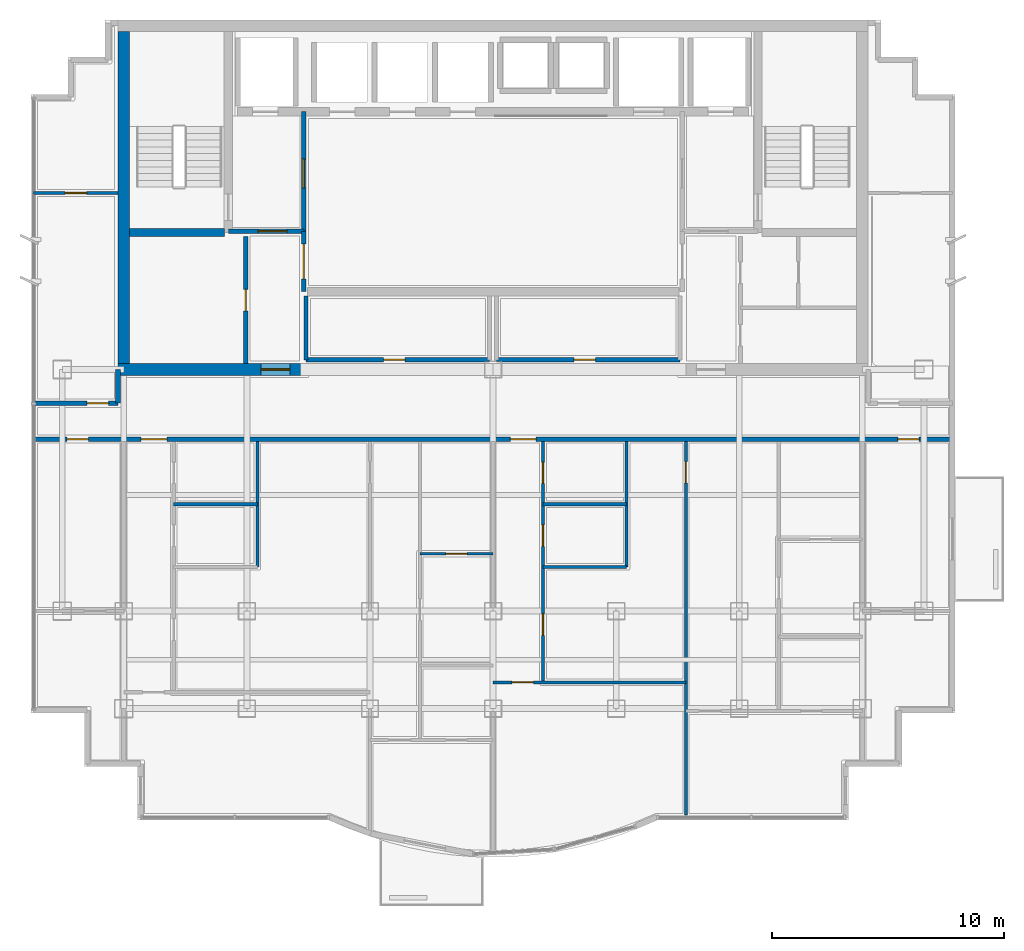
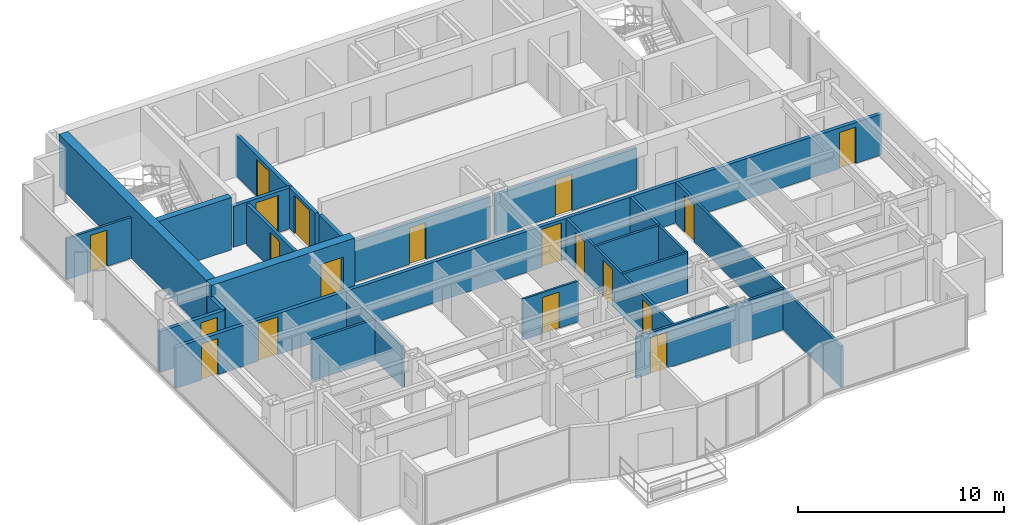
# One storey, part 7 of 11: 23 walls, 19 doors, 19 openings.
"""IFC4 building model written with IfcOpenShell, lengths in metres."""

from ifc_helpers import new_model, si_unit, direction, frame, frame_2d, origin, place, context, subcontext, project, spatial, rectangle, extrude, material, layer, layer_set, type_object, element, fill, save


model = new_model("IFC4")

# Units and contexts
model_context = context("Model", 3, precision=1e-05, world=origin(), true_north=direction((0.0, 1.0)))
body_context = subcontext(model_context, "Body", "Model", "MODEL_VIEW")
ifc_project = project(units=[si_unit("LENGTHUNIT", "METRE"), si_unit("AREAUNIT", "SQUARE_METRE"), si_unit("VOLUMEUNIT", "CUBIC_METRE"), si_unit("PLANEANGLEUNIT", "RADIAN"), si_unit("MASSUNIT", "GRAM", prefix="KILO")], contexts=[model_context])

# Site, building, storey
site_placement = place(None, origin())
site = spatial("IfcSite", under=ifc_project, at=site_placement, CompositionType="ELEMENT")
building_placement = place(site_placement, origin())
building = spatial("IfcBuilding", under=site, at=building_placement, Name="Qianlan Lanfeng Residences", CompositionType="ELEMENT")
storey_placement = place(building_placement, frame((0.0, 0.0, 223.10009765625)))
storey = spatial("IfcBuildingStorey", under=building, at=storey_placement, Name="L61", CompositionType="ELEMENT", Elevation=223.10009765625)

# Walls
ifc_material_1 = material(Name="Concrete C49", Category="concrete")
ifc_layer_1 = layer(ifc_material_1, 0.35009765625)
ifc_layer_set_1 = layer_set([ifc_layer_1], Name="Concrete C49")
wall_type_1 = type_object("IfcWallType", Name="CW-RC-350", PredefinedType="SHEAR", material=ifc_layer_set_1)
wall_1_placement = place(storey_placement, frame((10.85009765625, 31.10009765625, 0.0), z_axis=(0.0, 0.0, 1.0), x_axis=(1.0, 0.0, 0.0)))
element("IfcWall", 1, at=wall_1_placement, inside=storey, type_object=wall_type_1, Name="L61 Core Shear Wall ST1S", PredefinedType="SHEAR", context=body_context, shape_type="SweptSolid", body=[
    extrude(rectangle(XDim=4.074951171875, YDim=0.35009765625, at=frame_2d((2.03759765625, 0.0))), origin(), (0.0, 0.0, 1.0), 3.10986328125),
])
ifc_material_2 = material(Name="Concrete C70", Category="concrete")
ifc_layer_2 = layer(ifc_material_2, 0.5)
ifc_layer_set_2 = layer_set([ifc_layer_2], Name="Concrete C70")
wall_type_2 = type_object("IfcWallType", Name="CW-RC-500", PredefinedType="SHEAR", material=ifc_layer_set_2)
wall_2_placement = place(storey_placement, frame((10.60009765625, 25.449951171875, 0.0), z_axis=(0.0, 0.0, 1.0), x_axis=(0.0, 1.0, 0.0)))
element("IfcWall", 2, at=wall_2_placement, inside=storey, type_object=wall_type_2, Name="L61 Core Shear Wall W", PredefinedType="SHEAR", context=body_context, shape_type="SweptSolid", body=[
    extrude(rectangle(XDim=14.300048828125, YDim=0.5, at=frame_2d((7.14990234375, 0.0))), origin(), (0.0, 0.0, 1.0), 3.10986328125),
])

# Wall, opening, door
wall_3_placement = place(storey_placement, frame((10.35009765625, 25.199951171875, 0.0), z_axis=(0.0, 0.0, 1.0), x_axis=(1.0, 0.0, 0.0)))
wall_3 = element("IfcWall", 3, at=wall_3_placement, inside=storey, type_object=wall_type_2, Name="L61 Core Shear Wall SW", PredefinedType="SHEAR", context=body_context, shape_type="SweptSolid", body=[
    extrude(rectangle(XDim=8.0498046875, YDim=0.5, at=frame_2d((4.02490234375, 0.0))), origin(), (0.0, 0.0, 1.0), 3.10986328125),
])
opening_1_placement = place(wall_3_placement, frame((6.14990234375, 0.0, 0.0)))
opening_1 = element("IfcOpeningElement", 4, at=opening_1_placement, cuts=wall_3, Name="Opening L61-D01", PredefinedType="OPENING", context=body_context, shape_type="SweptSolid", body=[
    extrude(rectangle(XDim=1.25, YDim=2.199951171875, at=frame_2d((0.625, 1.10009765625))), frame((0.0, 0.260009765625, 0.0), z_axis=(0.0, -1.0, 0.0), x_axis=(1.0, 0.0, 0.0)), (0.0, 0.0, 1.0), 0.52001953125),
])
ifc_material_3 = material(Name="Painted Galvanised Steel Fire Door", Category="steel")
door_type_1 = type_object("IfcDoorType", Name="DT-FFL", OperationType="NOTDEFINED", PredefinedType="DOOR", material=ifc_material_3)
door_1_placement = place(opening_1_placement, origin())
door_1 = element("IfcDoor", 5, at=door_1_placement, inside=storey, type_object=door_type_1, Name="L61 West Core Lobby Smoke Door L61-D01 (DT-FFL)", OperationType="SINGLE_SWING_RIGHT", OverallHeight=2.199951171875, OverallWidth=1.25, PredefinedType="DOOR", context=body_context, shape_type="SweptSolid", body=[
    extrude(rectangle(XDim=1.25, YDim=2.199951171875, at=frame_2d((0.625, 1.10009765625))), frame((0.0, 0.02490234375, 0.0), z_axis=(0.0, -1.0, 0.0), x_axis=(1.0, 0.0, 0.0)), (0.0, 0.0, 1.0), 0.050048828125),
])
fill(opening_1, door_1)

ifc_material_4 = material(Name="Demountable Acoustic Framing Partition 110 mm")
ifc_layer_3 = layer(ifc_material_4, 0.110107421875)
ifc_layer_set_3 = layer_set([ifc_layer_3], Name="Demountable Acoustic Framing Partition 110 mm")
wall_type_3 = type_object("IfcWallType", Name="PW-110", PredefinedType="MOVABLE", material=ifc_layer_set_3)
wall_4_placement = place(storey_placement, frame((23.35009765625, 17.27392578125, 0.0), z_axis=(0.0, 0.0, 1.0), x_axis=(1.0, 0.0, 0.0)))
wall_4 = element("IfcWall", 6, at=wall_4_placement, inside=storey, type_object=wall_type_3, Name="L61 U01 Wardrobe Split", PredefinedType="MOVABLE", context=body_context, shape_type="SweptSolid", body=[
    extrude(rectangle(XDim=3.14990234375, YDim=0.110107421875, at=frame_2d((1.574951171875, 0.0))), origin(), (0.0, 0.0, 1.0), 2.429931640625),
])
opening_2_placement = place(wall_4_placement, frame((1.114990234375, 0.0, 0.0)))
opening_2 = element("IfcOpeningElement", 7, at=opening_2_placement, cuts=wall_4, Name="Opening L61-D26", PredefinedType="OPENING", context=body_context, shape_type="SweptSolid", body=[
    extrude(rectangle(XDim=0.919921875, YDim=2.14990234375, at=frame_2d((0.4599609375, 1.074951171875))), frame((0.0, 0.06494140625, 0.0), z_axis=(0.0, -1.0, 0.0), x_axis=(1.0, 0.0, 0.0)), (0.0, 0.0, 1.0), 0.130126953125),
])
ifc_material_5 = material(Name="Glazed Timber Kitchen/Study Door", Category="wood")
door_type_2 = type_object("IfcDoorType", Name="DT-INT", OperationType="NOTDEFINED", PredefinedType="DOOR", material=ifc_material_5)
door_2_placement = place(opening_2_placement, origin())
door_2 = element("IfcDoor", 8, at=door_2_placement, inside=storey, type_object=door_type_2, Name="L61 U01 Dressing Inner Door L61-D26 (DT-INT)", OperationType="SINGLE_SWING_LEFT", OverallHeight=2.14990234375, OverallWidth=0.919921875, PredefinedType="DOOR", context=body_context, shape_type="SweptSolid", body=[
    extrude(rectangle(XDim=0.919921875, YDim=2.14990234375, at=frame_2d((0.4599609375, 1.074951171875))), frame((0.0, 0.02490234375, 0.0), z_axis=(0.0, -1.0, 0.0), x_axis=(1.0, 0.0, 0.0)), (0.0, 0.0, 1.0), 0.050048828125),
])
fill(opening_2, door_2)

# Walls
ifc_material_6 = material(Name="Moisture-Resistant Gypsum Partition 135 mm")
ifc_layer_4 = layer(ifc_material_6, 0.135009765625)
ifc_layer_set_4 = layer_set([ifc_layer_4], Name="Moisture-Resistant Gypsum Partition 135 mm")
wall_type_4 = type_object("IfcWallType", Name="PW-135", PredefinedType="PARTITIONING", material=ifc_layer_set_4)
wall_5_placement = place(storey_placement, frame((16.35009765625, 16.699951171875, 0.0), z_axis=(0.0, 0.0, 1.0), x_axis=(0.0, 1.0, 0.0)))
element("IfcWall", 9, at=wall_5_placement, inside=storey, type_object=wall_type_4, Name="L61 U01 Dining East Wall", PredefinedType="PARTITIONING", context=body_context, shape_type="SweptSolid", body=[
    extrude(rectangle(XDim=5.400146484375, YDim=0.135009765625, at=frame_2d((2.7001953125, 0.0))), origin(), (0.0, 0.0, 1.0), 2.429931640625),
])
wall_6_placement = place(storey_placement, frame((12.75, 19.39990234375, 0.0), z_axis=(0.0, 0.0, 1.0), x_axis=(1.0, 0.0, 0.0)))
element("IfcWall", 10, at=wall_6_placement, inside=storey, type_object=wall_type_4, Name="L61 U01 Bathroom South Wall", PredefinedType="PARTITIONING", context=body_context, shape_type="SweptSolid", body=[
    extrude(rectangle(XDim=3.60009765625, YDim=0.135009765625, at=frame_2d((1.800048828125, 0.0))), origin(), (0.0, 0.0, 1.0), 2.429931640625),
])

# Wall, opening, door
wall_7_placement = place(storey_placement, frame((34.800048828125, 6.02001953125, 0.0), z_axis=(0.0, 0.0, 1.0), x_axis=(0.0, 1.0, 0.0)))
wall_7 = element("IfcWall", 11, at=wall_7_placement, inside=storey, type_object=wall_type_4, Name="L61 U02 Bay Spine Wall 1", PredefinedType="PARTITIONING", context=body_context, shape_type="SweptSolid", body=[
    extrude(rectangle(XDim=16.080078125, YDim=0.135009765625, at=frame_2d((8.0400390625, 0.0))), origin(), (0.0, 0.0, 1.0), 2.429931640625),
])
opening_3_placement = place(wall_7_placement, frame((14.294921875, 0.0, 0.0)))
opening_3 = element("IfcOpeningElement", 12, at=opening_3_placement, cuts=wall_7, Name="Opening L61-D28", PredefinedType="OPENING", context=body_context, shape_type="SweptSolid", body=[
    extrude(rectangle(XDim=0.919921875, YDim=2.14990234375, at=frame_2d((0.4599609375, 1.074951171875))), frame((0.0, 0.07763671875, 0.0), z_axis=(0.0, -1.0, 0.0), x_axis=(1.0, 0.0, 0.0)), (0.0, 0.0, 1.0), 0.155029296875),
])
door_3_placement = place(opening_3_placement, origin())
door_3 = element("IfcDoor", 13, at=door_3_placement, inside=storey, type_object=door_type_2, Name="L61 U02 Internal Hall Door L61-D28 (DT-INT)", OperationType="SINGLE_SWING_LEFT", OverallHeight=2.14990234375, OverallWidth=0.919921875, PredefinedType="DOOR", context=body_context, shape_type="SweptSolid", body=[
    extrude(rectangle(XDim=0.919921875, YDim=2.14990234375, at=frame_2d((0.4599609375, 1.074951171875))), frame((0.0, 0.02490234375, 0.0), z_axis=(0.0, -1.0, 0.0), x_axis=(1.0, 0.0, 0.0)), (0.0, 0.0, 1.0), 0.050048828125),
])
fill(opening_3, door_3)

wall_8_placement = place(storey_placement, frame((26.5, 11.72900390625, 0.0), z_axis=(0.0, 0.0, 1.0), x_axis=(1.0, 0.0, 0.0)))
wall_8 = element("IfcWall", 14, at=wall_8_placement, inside=storey, type_object=wall_type_4, Name="L61 U02 Living Divider", PredefinedType="PARTITIONING", context=body_context, shape_type="SweptSolid", body=[
    extrude(rectangle(XDim=8.300048828125, YDim=0.135009765625, at=frame_2d((4.14990234375, 0.0))), origin(), (0.0, 0.0, 1.0), 2.429931640625),
])
opening_4_placement = place(wall_8_placement, frame((0.81494140625, 0.0, 0.0)))
opening_4 = element("IfcOpeningElement", 15, at=opening_4_placement, cuts=wall_8, Name="Opening L61-D29", PredefinedType="OPENING", context=body_context, shape_type="SweptSolid", body=[
    extrude(rectangle(XDim=0.919921875, YDim=2.14990234375, at=frame_2d((0.4599609375, 1.074951171875))), frame((0.0, 0.07763671875, 0.0), z_axis=(0.0, -1.0, 0.0), x_axis=(1.0, 0.0, 0.0)), (0.0, 0.0, 1.0), 0.155029296875),
])
door_4_placement = place(opening_4_placement, origin())
door_4 = element("IfcDoor", 16, at=door_4_placement, inside=storey, type_object=door_type_2, Name="L61 U02 Living Passage Door L61-D29 (DT-INT)", OperationType="SINGLE_SWING_LEFT", OverallHeight=2.14990234375, OverallWidth=0.919921875, PredefinedType="DOOR", context=body_context, shape_type="SweptSolid", body=[
    extrude(rectangle(XDim=0.919921875, YDim=2.14990234375, at=frame_2d((0.4599609375, 1.074951171875))), frame((0.0, 0.02490234375, 0.0), z_axis=(0.0, -1.0, 0.0), x_axis=(1.0, 0.0, 0.0)), (0.0, 0.0, 1.0), 0.050048828125),
])
fill(opening_4, door_4)

# Wall, openings, doors
wall_9_placement = place(storey_placement, frame((28.64990234375, 11.72900390625, 0.0), z_axis=(0.0, 0.0, 1.0), x_axis=(0.0, 1.0, 0.0)))
wall_9 = element("IfcWall", 17, at=wall_9_placement, inside=storey, type_object=wall_type_4, Name="L61 U02 Entry Hall Spine", PredefinedType="PARTITIONING", context=body_context, shape_type="SweptSolid", body=[
    extrude(rectangle(XDim=10.37109375, YDim=0.135009765625, at=frame_2d((5.185546875, 0.0))), origin(), (0.0, 0.0, 1.0), 2.429931640625),
])
opening_5_placement = place(wall_9_placement, frame((2.02587890625, 0.0, 0.0)))
opening_5 = element("IfcOpeningElement", 18, at=opening_5_placement, cuts=wall_9, Name="Opening L61-D30", PredefinedType="OPENING", context=body_context, shape_type="SweptSolid", body=[
    extrude(rectangle(XDim=0.919921875, YDim=2.14990234375, at=frame_2d((0.4599609375, 1.074951171875))), frame((0.0, 0.07763671875, 0.0), z_axis=(0.0, -1.0, 0.0), x_axis=(1.0, 0.0, 0.0)), (0.0, 0.0, 1.0), 0.155029296875),
])
opening_6_placement = place(wall_9_placement, frame((5.861083984375, 0.0, 0.0)))
opening_6 = element("IfcOpeningElement", 19, at=opening_6_placement, cuts=wall_9, Name="Opening L61-D31", PredefinedType="OPENING", context=body_context, shape_type="SweptSolid", body=[
    extrude(rectangle(XDim=0.919921875, YDim=2.14990234375, at=frame_2d((0.4599609375, 1.074951171875))), frame((0.0, 0.07763671875, 0.0), z_axis=(0.0, -1.0, 0.0), x_axis=(1.0, 0.0, 0.0)), (0.0, 0.0, 1.0), 0.155029296875),
])
opening_7_placement = place(wall_9_placement, frame((8.571044921875, 0.0, 0.0)))
opening_7 = element("IfcOpeningElement", 20, at=opening_7_placement, cuts=wall_9, Name="Opening L61-D32", PredefinedType="OPENING", context=body_context, shape_type="SweptSolid", body=[
    extrude(rectangle(XDim=0.89990234375, YDim=2.14990234375, at=frame_2d((0.449951171875, 1.074951171875))), frame((0.0, 0.07763671875, 0.0), z_axis=(0.0, -1.0, 0.0), x_axis=(1.0, 0.0, 0.0)), (0.0, 0.0, 1.0), 0.155029296875),
])
door_5_placement = place(opening_5_placement, origin())
door_5 = element("IfcDoor", 21, at=door_5_placement, inside=storey, type_object=door_type_2, Name="L61 U02 Study Door L61-D30 (DT-INT)", OperationType="SINGLE_SWING_LEFT", OverallHeight=2.14990234375, OverallWidth=0.919921875, PredefinedType="DOOR", context=body_context, shape_type="SweptSolid", body=[
    extrude(rectangle(XDim=0.919921875, YDim=2.14990234375, at=frame_2d((0.4599609375, 1.074951171875))), frame((0.0, 0.02490234375, 0.0), z_axis=(0.0, -1.0, 0.0), x_axis=(1.0, 0.0, 0.0)), (0.0, 0.0, 1.0), 0.050048828125),
])
fill(opening_5, door_5)
door_6_placement = place(opening_6_placement, origin())
door_6 = element("IfcDoor", 22, at=door_6_placement, inside=storey, type_object=door_type_2, Name="L61 U02 Kitchen Door L61-D31 (DT-INT)", OperationType="SINGLE_SWING_RIGHT", OverallHeight=2.14990234375, OverallWidth=0.919921875, PredefinedType="DOOR", context=body_context, shape_type="SweptSolid", body=[
    extrude(rectangle(XDim=0.919921875, YDim=2.14990234375, at=frame_2d((0.4599609375, 1.074951171875))), frame((0.0, 0.02490234375, 0.0), z_axis=(0.0, -1.0, 0.0), x_axis=(1.0, 0.0, 0.0)), (0.0, 0.0, 1.0), 0.050048828125),
])
fill(opening_6, door_6)
ifc_material_7 = material(Name="Moisture-Resistant Timber Leaf", Category="wood")
door_type_3 = type_object("IfcDoorType", Name="DT-WC", OperationType="NOTDEFINED", PredefinedType="DOOR", material=ifc_material_7)
door_7_placement = place(opening_7_placement, origin())
door_7 = element("IfcDoor", 23, at=door_7_placement, inside=storey, type_object=door_type_3, Name="L61 U02 Bathroom Door L61-D32 (DT-WC)", OperationType="SINGLE_SWING_LEFT", OverallHeight=2.14990234375, OverallWidth=0.89990234375, PredefinedType="DOOR", context=body_context, shape_type="SweptSolid", body=[
    extrude(rectangle(XDim=0.89990234375, YDim=2.14990234375, at=frame_2d((0.449951171875, 1.074951171875))), frame((0.0, 0.02490234375, 0.0), z_axis=(0.0, -1.0, 0.0), x_axis=(1.0, 0.0, 0.0)), (0.0, 0.0, 1.0), 0.050048828125),
])
fill(opening_7, door_7)

# Walls
wall_10_placement = place(storey_placement, frame((28.64990234375, 16.699951171875, 0.0), z_axis=(0.0, 0.0, 1.0), x_axis=(1.0, 0.0, 0.0)))
element("IfcWall", 24, at=wall_10_placement, inside=storey, type_object=wall_type_4, Name="L61 U02 Kitchen South Wall", PredefinedType="PARTITIONING", context=body_context, shape_type="SweptSolid", body=[
    extrude(rectangle(XDim=3.60009765625, YDim=0.135009765625, at=frame_2d((1.800048828125, 0.0))), origin(), (0.0, 0.0, 1.0), 2.429931640625),
])
wall_11_placement = place(storey_placement, frame((32.25, 16.699951171875, 0.0), z_axis=(0.0, 0.0, 1.0), x_axis=(0.0, 1.0, 0.0)))
element("IfcWall", 25, at=wall_11_placement, inside=storey, type_object=wall_type_4, Name="L61 U02 Dining East Wall", PredefinedType="PARTITIONING", context=body_context, shape_type="SweptSolid", body=[
    extrude(rectangle(XDim=5.400146484375, YDim=0.135009765625, at=frame_2d((2.7001953125, 0.0))), origin(), (0.0, 0.0, 1.0), 2.429931640625),
])
wall_12_placement = place(storey_placement, frame((28.64990234375, 19.39990234375, 0.0), z_axis=(0.0, 0.0, 1.0), x_axis=(1.0, 0.0, 0.0)))
element("IfcWall", 26, at=wall_12_placement, inside=storey, type_object=wall_type_4, Name="L61 U02 Bathroom South Wall", PredefinedType="PARTITIONING", context=body_context, shape_type="SweptSolid", body=[
    extrude(rectangle(XDim=3.60009765625, YDim=0.135009765625, at=frame_2d((1.800048828125, 0.0))), origin(), (0.0, 0.0, 1.0), 2.429931640625),
])

# Wall, opening, door
wall_13_placement = place(storey_placement, frame((6.719970703125, 32.800048828125, 0.0), z_axis=(0.0, 0.0, 1.0), x_axis=(1.0, 0.0, 0.0)))
wall_13 = element("IfcWall", 27, at=wall_13_placement, inside=storey, type_object=wall_type_4, Name="L61 WW North Wing Wall", PredefinedType="PARTITIONING", context=body_context, shape_type="SweptSolid", body=[
    extrude(rectangle(XDim=3.630126953125, YDim=0.135009765625, at=frame_2d((1.81494140625, 0.0))), origin(), (0.0, 0.0, 1.0), 2.429931640625),
])
opening_8_placement = place(wall_13_placement, frame((1.35498046875, 0.0, 0.0)))
opening_8 = element("IfcOpeningElement", 28, at=opening_8_placement, cuts=wall_13, Name="Opening L61-D41", PredefinedType="OPENING", context=body_context, shape_type="SweptSolid", body=[
    extrude(rectangle(XDim=0.919921875, YDim=2.14990234375, at=frame_2d((0.4599609375, 1.074951171875))), frame((0.0, 0.07763671875, 0.0), z_axis=(0.0, -1.0, 0.0), x_axis=(1.0, 0.0, 0.0)), (0.0, 0.0, 1.0), 0.155029296875),
])
door_8_placement = place(opening_8_placement, origin())
door_8 = element("IfcDoor", 29, at=door_8_placement, inside=storey, type_object=door_type_2, Name="L61 WW Inner Salon Door L61-D41 (DT-INT)", OperationType="SINGLE_SWING_RIGHT", OverallHeight=2.14990234375, OverallWidth=0.919921875, PredefinedType="DOOR", context=body_context, shape_type="SweptSolid", body=[
    extrude(rectangle(XDim=0.919921875, YDim=2.14990234375, at=frame_2d((0.4599609375, 1.074951171875))), frame((0.0, 0.02490234375, 0.0), z_axis=(0.0, -1.0, 0.0), x_axis=(1.0, 0.0, 0.0)), (0.0, 0.0, 1.0), 0.050048828125),
])
fill(opening_8, door_8)

ifc_material_8 = material(Name="Double-Layer Acoustic Gypsum Stud Wall 180 mm")
ifc_layer_5 = layer(ifc_material_8, 0.179931640625)
ifc_layer_set_5 = layer_set([ifc_layer_5], Name="Double-Layer Acoustic Gypsum Stud Wall 180 mm")
wall_type_5 = type_object("IfcWallType", Name="PW-180", PredefinedType="PARTITIONING", material=ifc_layer_set_5)
wall_14_placement = place(storey_placement, frame((15.85009765625, 25.449951171875, 0.0), z_axis=(0.0, 0.0, 1.0), x_axis=(0.0, 1.0, 0.0)))
wall_14 = element("IfcWall", 30, at=wall_14_placement, inside=storey, type_object=wall_type_5, Name="L61 Core West Service Room Wall", PredefinedType="PARTITIONING", context=body_context, shape_type="SweptSolid", body=[
    extrude(rectangle(XDim=5.47509765625, YDim=0.179931640625, at=frame_2d((2.737548828125, 0.0))), origin(), (0.0, 0.0, 1.0), 2.429931640625),
])
opening_9_placement = place(wall_14_placement, frame((2.277099609375, 0.0, 0.0)))
opening_9 = element("IfcOpeningElement", 31, at=opening_9_placement, cuts=wall_14, Name="Opening L61-D09", PredefinedType="OPENING", context=body_context, shape_type="SweptSolid", body=[
    extrude(rectangle(XDim=0.919921875, YDim=2.14990234375, at=frame_2d((0.4599609375, 1.074951171875))), frame((0.0, 0.10009765625, 0.0), z_axis=(0.0, -1.0, 0.0), x_axis=(1.0, 0.0, 0.0)), (0.0, 0.0, 1.0), 0.199951171875),
])
door_9_placement = place(opening_9_placement, origin())
door_9 = element("IfcDoor", 32, at=door_9_placement, inside=storey, type_object=door_type_2, Name="L61 Storage Room Door L61-D09 (DT-INT)", OperationType="SINGLE_SWING_RIGHT", OverallHeight=2.14990234375, OverallWidth=0.919921875, PredefinedType="DOOR", context=body_context, shape_type="SweptSolid", body=[
    extrude(rectangle(XDim=0.919921875, YDim=2.14990234375, at=frame_2d((0.4599609375, 1.074951171875))), frame((0.0, 0.02490234375, 0.0), z_axis=(0.0, -1.0, 0.0), x_axis=(1.0, 0.0, 0.0)), (0.0, 0.0, 1.0), 0.050048828125),
])
fill(opening_9, door_9)

# Wall
wall_15_placement = place(storey_placement, frame((18.449951171875, 25.6201171875, 0.0), z_axis=(0.0, 0.0, 1.0), x_axis=(0.0, 1.0, 0.0)))
element("IfcWall", 33, at=wall_15_placement, inside=storey, type_object=wall_type_5, Name="L61 Reclaimed Low-Bank Room West Wall", PredefinedType="PARTITIONING", context=body_context, shape_type="SweptSolid", body=[
    extrude(rectangle(XDim=2.7548828125, YDim=0.179931640625, at=frame_2d((1.37744140625, 0.0))), origin(), (0.0, 0.0, 1.0), 2.429931640625),
])

# Wall, opening, door
wall_16_placement = place(storey_placement, frame((18.449951171875, 25.6201171875, 0.0), z_axis=(0.0, 0.0, 1.0), x_axis=(1.0, 0.0, 0.0)))
wall_16 = element("IfcWall", 34, at=wall_16_placement, inside=storey, type_object=wall_type_5, Name="L61 Reclaimed Low-Bank Room South Wall", PredefinedType="PARTITIONING", context=body_context, shape_type="SweptSolid", body=[
    extrude(rectangle(XDim=7.900146484375, YDim=0.179931640625, at=frame_2d((3.9501953125, 0.0))), origin(), (0.0, 0.0, 1.0), 2.429931640625),
])
opening_10_placement = place(wall_16_placement, frame((3.340087890625, 0.0, 0.0)))
opening_10 = element("IfcOpeningElement", 35, at=opening_10_placement, cuts=wall_16, Name="Opening L61-D15", PredefinedType="OPENING", context=body_context, shape_type="SweptSolid", body=[
    extrude(rectangle(XDim=0.919921875, YDim=2.14990234375, at=frame_2d((0.4599609375, 1.074951171875))), frame((0.0, 0.10009765625, 0.0), z_axis=(0.0, -1.0, 0.0), x_axis=(1.0, 0.0, 0.0)), (0.0, 0.0, 1.0), 0.199951171875),
])
door_10_placement = place(opening_10_placement, origin())
door_10 = element("IfcDoor", 36, at=door_10_placement, inside=storey, type_object=door_type_2, Name="L61 Reclaimed Core Salon Door L61-D15 (DT-INT)", OperationType="SINGLE_SWING_RIGHT", OverallHeight=2.14990234375, OverallWidth=0.919921875, PredefinedType="DOOR", context=body_context, shape_type="SweptSolid", body=[
    extrude(rectangle(XDim=0.919921875, YDim=2.14990234375, at=frame_2d((0.4599609375, 1.074951171875))), frame((0.0, 0.02490234375, 0.0), z_axis=(0.0, -1.0, 0.0), x_axis=(1.0, 0.0, 0.0)), (0.0, 0.0, 1.0), 0.050048828125),
])
fill(opening_10, door_10)

wall_17_placement = place(storey_placement, frame((26.64990234375, 25.6201171875, 0.0), z_axis=(0.0, 0.0, 1.0), x_axis=(1.0, 0.0, 0.0)))
wall_17 = element("IfcWall", 37, at=wall_17_placement, inside=storey, type_object=wall_type_5, Name="L61 Reclaimed Mid-Bank Room South Wall", PredefinedType="PARTITIONING", context=body_context, shape_type="SweptSolid", body=[
    extrude(rectangle(XDim=7.900146484375, YDim=0.179931640625, at=frame_2d((3.9501953125, 0.0))), origin(), (0.0, 0.0, 1.0), 2.429931640625),
])
opening_11_placement = place(wall_17_placement, frame((3.340087890625, 0.0, 0.0)))
opening_11 = element("IfcOpeningElement", 38, at=opening_11_placement, cuts=wall_17, Name="Opening L61-D16", PredefinedType="OPENING", context=body_context, shape_type="SweptSolid", body=[
    extrude(rectangle(XDim=0.919921875, YDim=2.14990234375, at=frame_2d((0.4599609375, 1.074951171875))), frame((0.0, 0.10009765625, 0.0), z_axis=(0.0, -1.0, 0.0), x_axis=(1.0, 0.0, 0.0)), (0.0, 0.0, 1.0), 0.199951171875),
])
door_11_placement = place(opening_11_placement, origin())
door_11 = element("IfcDoor", 39, at=door_11_placement, inside=storey, type_object=door_type_2, Name="L61 Reclaimed Mid-Bank Salon Door L61-D16 (DT-INT)", OperationType="SINGLE_SWING_LEFT", OverallHeight=2.14990234375, OverallWidth=0.919921875, PredefinedType="DOOR", context=body_context, shape_type="SweptSolid", body=[
    extrude(rectangle(XDim=0.919921875, YDim=2.14990234375, at=frame_2d((0.4599609375, 1.074951171875))), frame((0.0, 0.02490234375, 0.0), z_axis=(0.0, -1.0, 0.0), x_axis=(1.0, 0.0, 0.0)), (0.0, 0.0, 1.0), 0.050048828125),
])
fill(opening_11, door_11)

ifc_material_9 = material(Name="Autoclaved Aerated Concrete Blockwork 200 mm", Category="masonry")
ifc_layer_6 = layer(ifc_material_9, 0.199951171875)
ifc_layer_set_6 = layer_set([ifc_layer_6], Name="Autoclaved Aerated Concrete Blockwork 200 mm")
wall_type_6 = type_object("IfcWallType", Name="PW-200", PredefinedType="PARTITIONING", material=ifc_layer_set_6)
wall_18_placement = place(storey_placement, frame((15.10009765625, 31.14990234375, 0.0), z_axis=(0.0, 0.0, 1.0), x_axis=(1.0, 0.0, 0.0)))
wall_18 = element("IfcWall", 40, at=wall_18_placement, inside=storey, type_object=wall_type_6, Name="L61 Firefighting Lobby 1 South Wall", PredefinedType="PARTITIONING", context=body_context, shape_type="SweptSolid", body=[
    extrude(rectangle(XDim=3.25, YDim=0.199951171875, at=frame_2d((1.625, 0.0))), origin(), (0.0, 0.0, 1.0), 2.429931640625),
])
opening_12_placement = place(wall_18_placement, frame((1.27490234375, 0.0, 0.0)))
opening_12 = element("IfcOpeningElement", 41, at=opening_12_placement, cuts=wall_18, Name="Opening L61-D03", PredefinedType="OPENING", context=body_context, shape_type="SweptSolid", body=[
    extrude(rectangle(XDim=1.25, YDim=2.199951171875, at=frame_2d((0.625, 1.10009765625))), frame((0.0, 0.10986328125, 0.0), z_axis=(0.0, -1.0, 0.0), x_axis=(1.0, 0.0, 0.0)), (0.0, 0.0, 1.0), 0.219970703125),
])
door_12_placement = place(opening_12_placement, origin())
door_12 = element("IfcDoor", 42, at=door_12_placement, inside=storey, type_object=door_type_1, Name="L61 Firefighting Lobby 1 Entry Door L61-D03 (DT-FFL)", OperationType="SINGLE_SWING_LEFT", OverallHeight=2.199951171875, OverallWidth=1.25, PredefinedType="DOOR", context=body_context, shape_type="SweptSolid", body=[
    extrude(rectangle(XDim=1.25, YDim=2.199951171875, at=frame_2d((0.625, 1.10009765625))), frame((0.0, 0.02490234375, 0.0), z_axis=(0.0, -1.0, 0.0), x_axis=(1.0, 0.0, 0.0)), (0.0, 0.0, 1.0), 0.050048828125),
])
fill(opening_12, door_12)

wall_19_placement = place(storey_placement, frame((18.35009765625, 31.14990234375, 0.0), z_axis=(0.0, 0.0, 1.0), x_axis=(0.0, 1.0, 0.0)))
wall_19 = element("IfcWall", 43, at=wall_19_placement, inside=storey, type_object=wall_type_6, Name="L61 Firefighting Lobby 1 East Wall", PredefinedType="PARTITIONING", context=body_context, shape_type="SweptSolid", body=[
    extrude(rectangle(XDim=5.150146484375, YDim=0.199951171875, at=frame_2d((2.5751953125, 0.0))), origin(), (0.0, 0.0, 1.0), 2.429931640625),
])
opening_13_placement = place(wall_19_placement, frame((1.875, 0.0, 0.0)))
opening_13 = element("IfcOpeningElement", 44, at=opening_13_placement, cuts=wall_19, Name="Opening L61-D04", PredefinedType="OPENING", context=body_context, shape_type="SweptSolid", body=[
    extrude(rectangle(XDim=1.25, YDim=2.199951171875, at=frame_2d((0.625, 1.10009765625))), frame((0.0, 0.10986328125, 0.0), z_axis=(0.0, -1.0, 0.0), x_axis=(1.0, 0.0, 0.0)), (0.0, 0.0, 1.0), 0.219970703125),
])
door_13_placement = place(opening_13_placement, origin())
door_13 = element("IfcDoor", 45, at=door_13_placement, inside=storey, type_object=door_type_1, Name="L61 Firefighting Lobby 1 Lift Lobby Door L61-D04 (DT-FFL)", OperationType="SINGLE_SWING_LEFT", OverallHeight=2.199951171875, OverallWidth=1.25, PredefinedType="DOOR", context=body_context, shape_type="SweptSolid", body=[
    extrude(rectangle(XDim=1.25, YDim=2.199951171875, at=frame_2d((0.625, 1.10009765625))), frame((0.0, 0.02490234375, 0.0), z_axis=(0.0, -1.0, 0.0), x_axis=(1.0, 0.0, 0.0)), (0.0, 0.0, 1.0), 0.050048828125),
])
fill(opening_13, door_13)

wall_20_placement = place(storey_placement, frame((18.35009765625, 28.550048828125, 0.0), z_axis=(0.0, 0.0, 1.0), x_axis=(0.0, 1.0, 0.0)))
wall_20 = element("IfcWall", 46, at=wall_20_placement, inside=storey, type_object=wall_type_6, Name="L61 Lift Lobby West Connector Wall", PredefinedType="PARTITIONING", context=body_context, shape_type="SweptSolid", body=[
    extrude(rectangle(XDim=2.599853515625, YDim=0.199951171875, at=frame_2d((1.2998046875, 0.0))), origin(), (0.0, 0.0, 1.0), 2.429931640625),
])
opening_14_placement = place(wall_20_placement, frame((0.550048828125, 0.0, 0.0)))
opening_14 = element("IfcOpeningElement", 47, at=opening_14_placement, cuts=wall_20, Name="Opening L61-D13", PredefinedType="OPENING", context=body_context, shape_type="SweptSolid", body=[
    extrude(rectangle(XDim=1.5, YDim=2.25, at=frame_2d((0.75, 1.125))), frame((0.0, 0.10986328125, 0.0), z_axis=(0.0, -1.0, 0.0), x_axis=(1.0, 0.0, 0.0)), (0.0, 0.0, 1.0), 0.219970703125),
])
ifc_material_10 = material(Name="Timber Veneer Acoustic Fire Door", Category="wood")
door_type_4 = type_object("IfcDoorType", Name="DT-COR1", OperationType="NOTDEFINED", PredefinedType="DOOR", material=ifc_material_10)
door_14_placement = place(opening_14_placement, origin())
door_14 = element("IfcDoor", 48, at=door_14_placement, inside=storey, type_object=door_type_4, Name="L61 Lift Lobby West Portal Door L61-D13 (DT-COR1)", OperationType="DOUBLE_DOOR_SINGLE_SWING", OverallHeight=2.25, OverallWidth=1.5, PredefinedType="DOOR", context=body_context, shape_type="SweptSolid", body=[
    extrude(rectangle(XDim=1.5, YDim=2.25, at=frame_2d((0.75, 1.125))), frame((0.0, 0.02490234375, 0.0), z_axis=(0.0, -1.0, 0.0), x_axis=(1.0, 0.0, 0.0)), (0.0, 0.0, 1.0), 0.050048828125),
])
fill(opening_14, door_14)

# Wall, openings, doors
wall_21_placement = place(storey_placement, frame((6.719970703125, 22.199951171875, 0.0), z_axis=(0.0, 0.0, 1.0), x_axis=(1.0, 0.0, 0.0)))
wall_21 = element("IfcWall", 49, at=wall_21_placement, inside=storey, type_object=wall_type_6, Name="L61 Residential Corridor South Fire Wall", PredefinedType="PARTITIONING", context=body_context, shape_type="SweptSolid", body=[
    extrude(rectangle(XDim=39.56005859375, YDim=0.199951171875, at=frame_2d((19.780029296875, 0.0))), origin(), (0.0, 0.0, 1.0), 2.429931640625),
])
opening_15_placement = place(wall_21_placement, frame((4.6298828125, 0.0, 0.0)))
opening_15 = element("IfcOpeningElement", 50, at=opening_15_placement, cuts=wall_21, Name="Opening L61-D17", PredefinedType="OPENING", context=body_context, shape_type="SweptSolid", body=[
    extrude(rectangle(XDim=1.10009765625, YDim=2.25, at=frame_2d((0.550048828125, 1.125))), frame((0.0, 0.10986328125, 0.0), z_axis=(0.0, -1.0, 0.0), x_axis=(1.0, 0.0, 0.0)), (0.0, 0.0, 1.0), 0.219970703125),
])
opening_16_placement = place(wall_21_placement, frame((20.530029296875, 0.0, 0.0)))
opening_16 = element("IfcOpeningElement", 51, at=opening_16_placement, cuts=wall_21, Name="Opening L61-D27", PredefinedType="OPENING", context=body_context, shape_type="SweptSolid", body=[
    extrude(rectangle(XDim=1.10009765625, YDim=2.25, at=frame_2d((0.550048828125, 1.125))), frame((0.0, 0.10986328125, 0.0), z_axis=(0.0, -1.0, 0.0), x_axis=(1.0, 0.0, 0.0)), (0.0, 0.0, 1.0), 0.219970703125),
])
opening_17_placement = place(wall_21_placement, frame((1.43505859375, 0.0, 0.0)))
opening_17 = element("IfcOpeningElement", 52, at=opening_17_placement, cuts=wall_21, Name="Opening L61-D38", PredefinedType="OPENING", context=body_context, shape_type="SweptSolid", body=[
    extrude(rectangle(XDim=0.919921875, YDim=2.14990234375, at=frame_2d((0.4599609375, 1.074951171875))), frame((0.0, 0.10986328125, 0.0), z_axis=(0.0, -1.0, 0.0), x_axis=(1.0, 0.0, 0.0)), (0.0, 0.0, 1.0), 0.219970703125),
])
opening_18_placement = place(wall_21_placement, frame((37.205078125, 0.0, 0.0)))
opening_18 = element("IfcOpeningElement", 53, at=opening_18_placement, cuts=wall_21, Name="Opening L61-D40", PredefinedType="OPENING", context=body_context, shape_type="SweptSolid", body=[
    extrude(rectangle(XDim=0.919921875, YDim=2.14990234375, at=frame_2d((0.4599609375, 1.074951171875))), frame((0.0, 0.10986328125, 0.0), z_axis=(0.0, -1.0, 0.0), x_axis=(1.0, 0.0, 0.0)), (0.0, 0.0, 1.0), 0.219970703125),
])
door_15_placement = place(opening_17_placement, origin())
door_15 = element("IfcDoor", 54, at=door_15_placement, inside=storey, type_object=door_type_2, Name="L61 SWP Corridor Door L61-D38 (DT-INT)", OperationType="SINGLE_SWING_LEFT", OverallHeight=2.14990234375, OverallWidth=0.919921875, PredefinedType="DOOR", context=body_context, shape_type="SweptSolid", body=[
    extrude(rectangle(XDim=0.919921875, YDim=2.14990234375, at=frame_2d((0.4599609375, 1.074951171875))), frame((0.0, 0.02490234375, 0.0), z_axis=(0.0, -1.0, 0.0), x_axis=(1.0, 0.0, 0.0)), (0.0, 0.0, 1.0), 0.050048828125),
])
fill(opening_17, door_15)
door_16_placement = place(opening_18_placement, origin())
door_16 = element("IfcDoor", 55, at=door_16_placement, inside=storey, type_object=door_type_2, Name="L61 SEP Corridor Door L61-D40 (DT-INT)", OperationType="SINGLE_SWING_LEFT", OverallHeight=2.14990234375, OverallWidth=0.919921875, PredefinedType="DOOR", context=body_context, shape_type="SweptSolid", body=[
    extrude(rectangle(XDim=0.919921875, YDim=2.14990234375, at=frame_2d((0.4599609375, 1.074951171875))), frame((0.0, 0.02490234375, 0.0), z_axis=(0.0, -1.0, 0.0), x_axis=(1.0, 0.0, 0.0)), (0.0, 0.0, 1.0), 0.050048828125),
])
fill(opening_18, door_16)
ifc_material_11 = material(Name="Solid-Core Oak Veneer Fire Door")
door_type_5 = type_object("IfcDoorType", Name="DT-UNIT", OperationType="NOTDEFINED", PredefinedType="DOOR", material=ifc_material_11)
door_17_placement = place(opening_15_placement, origin())
door_17 = element("IfcDoor", 56, at=door_17_placement, inside=storey, type_object=door_type_5, Name="L61 Apartment U01 Entrance Door L61-D17 (DT-UNIT)", OperationType="SINGLE_SWING_RIGHT", OverallHeight=2.25, OverallWidth=1.10009765625, PredefinedType="DOOR", context=body_context, shape_type="SweptSolid", body=[
    extrude(rectangle(XDim=1.10009765625, YDim=2.25, at=frame_2d((0.550048828125, 1.125))), frame((0.0, 0.02490234375, 0.0), z_axis=(0.0, -1.0, 0.0), x_axis=(1.0, 0.0, 0.0)), (0.0, 0.0, 1.0), 0.050048828125),
])
fill(opening_15, door_17)
door_18_placement = place(opening_16_placement, origin())
door_18 = element("IfcDoor", 57, at=door_18_placement, inside=storey, type_object=door_type_5, Name="L61 Apartment U02 Entrance Door L61-D27 (DT-UNIT)", OperationType="SINGLE_SWING_RIGHT", OverallHeight=2.25, OverallWidth=1.10009765625, PredefinedType="DOOR", context=body_context, shape_type="SweptSolid", body=[
    extrude(rectangle(XDim=1.10009765625, YDim=2.25, at=frame_2d((0.550048828125, 1.125))), frame((0.0, 0.02490234375, 0.0), z_axis=(0.0, -1.0, 0.0), x_axis=(1.0, 0.0, 0.0)), (0.0, 0.0, 1.0), 0.050048828125),
])
fill(opening_16, door_18)

# Wall, opening, door
wall_22_placement = place(storey_placement, frame((6.719970703125, 23.75, 0.0), z_axis=(0.0, 0.0, 1.0), x_axis=(1.0, 0.0, 0.0)))
wall_22 = element("IfcWall", 58, at=wall_22_placement, inside=storey, type_object=wall_type_6, Name="L61 Corridor NW Wall", PredefinedType="PARTITIONING", context=body_context, shape_type="SweptSolid", body=[
    extrude(rectangle(XDim=3.630126953125, YDim=0.199951171875, at=frame_2d((1.81494140625, 0.0))), origin(), (0.0, 0.0, 1.0), 2.429931640625),
])
opening_19_placement = place(wall_22_placement, frame((2.304931640625, 0.0, 0.0)))
opening_19 = element("IfcOpeningElement", 59, at=opening_19_placement, cuts=wall_22, Name="Opening L61-D42", PredefinedType="OPENING", context=body_context, shape_type="SweptSolid", body=[
    extrude(rectangle(XDim=0.919921875, YDim=2.14990234375, at=frame_2d((0.4599609375, 1.074951171875))), frame((0.0, 0.10986328125, 0.0), z_axis=(0.0, -1.0, 0.0), x_axis=(1.0, 0.0, 0.0)), (0.0, 0.0, 1.0), 0.219970703125),
])
door_19_placement = place(opening_19_placement, origin())
door_19 = element("IfcDoor", 60, at=door_19_placement, inside=storey, type_object=door_type_2, Name="L61 WW Amenity Salon Door L61-D42 (DT-INT)", OperationType="SINGLE_SWING_LEFT", OverallHeight=2.14990234375, OverallWidth=0.919921875, PredefinedType="DOOR", context=body_context, shape_type="SweptSolid", body=[
    extrude(rectangle(XDim=0.919921875, YDim=2.14990234375, at=frame_2d((0.4599609375, 1.074951171875))), frame((0.0, 0.02490234375, 0.0), z_axis=(0.0, -1.0, 0.0), x_axis=(1.0, 0.0, 0.0)), (0.0, 0.0, 1.0), 0.050048828125),
])
fill(opening_19, door_19)

# Wall
wall_23_placement = place(storey_placement, frame((10.35009765625, 23.75, 0.0), z_axis=(0.0, 0.0, 1.0), x_axis=(0.0, 1.0, 0.0)))
element("IfcWall", 61, at=wall_23_placement, inside=storey, type_object=wall_type_6, Name="L61 NW Wing Core Return Wall", PredefinedType="PARTITIONING", context=body_context, shape_type="SweptSolid", body=[
    extrude(rectangle(XDim=1.449951171875, YDim=0.199951171875, at=frame_2d((0.72509765625, 0.0))), origin(), (0.0, 0.0, 1.0), 2.429931640625),
])

save(model, "model.ifc")
